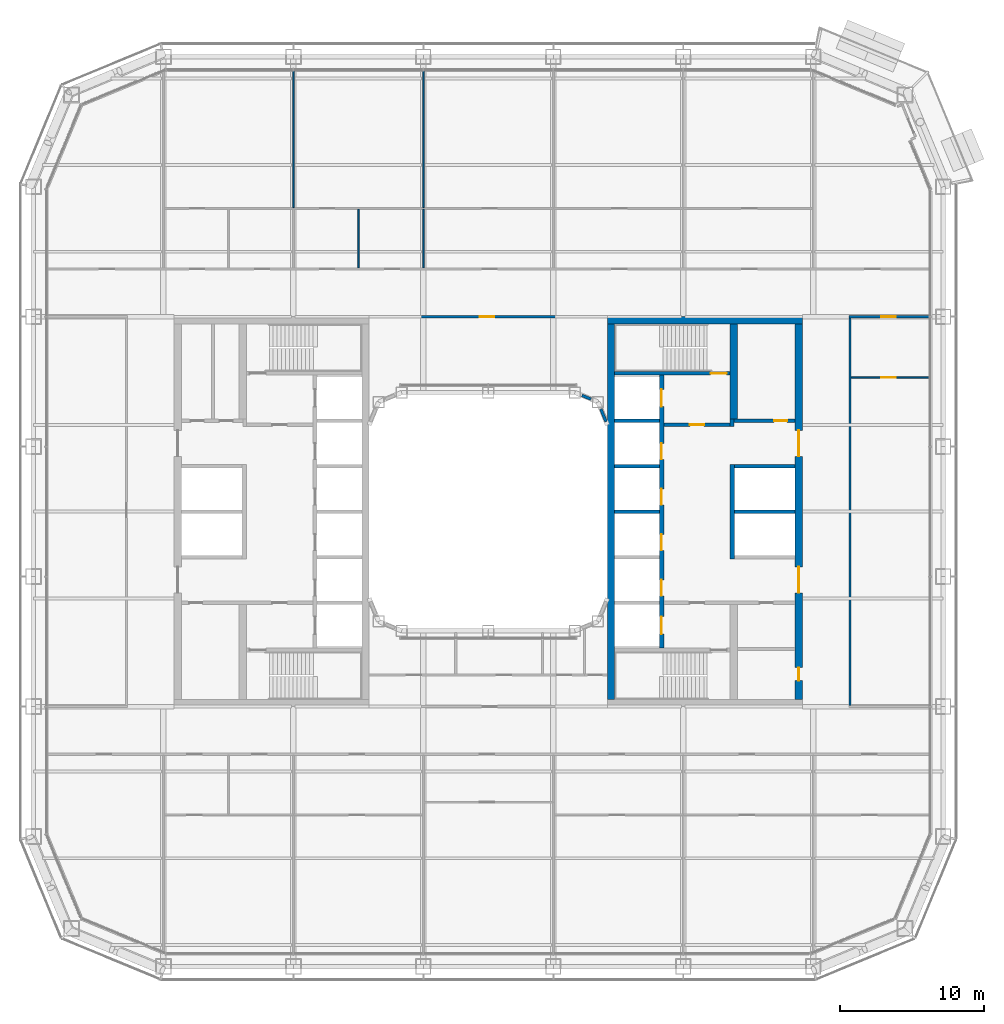
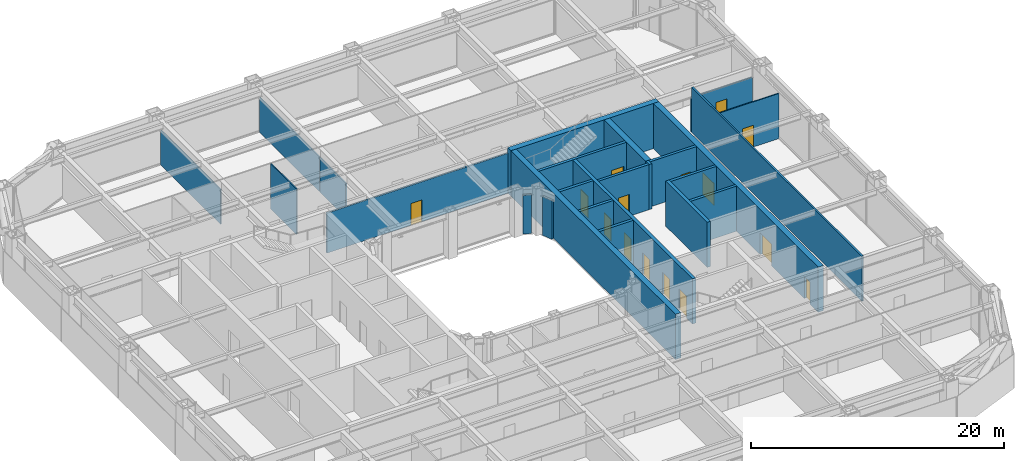
# One storey, part 15 of 30: 25 walls, 15 doors, 15 openings.
"""IFC4 building model written with IfcOpenShell, lengths in metres."""

from ifc_helpers import new_model, si_unit, direction, frame, frame_2d, origin, place, context, subcontext, project, spatial, rectangle, extrude, material, layer, layer_set, type_object, element, fill, save


model = new_model("IFC4")

# Units and contexts
model_context = context("Model", 3, precision=1e-05, world=origin(), true_north=direction((0.0, 1.0)))
body_context = subcontext(model_context, "Body", "Model", "MODEL_VIEW")
ifc_project = project(units=[si_unit("LENGTHUNIT", "METRE"), si_unit("AREAUNIT", "SQUARE_METRE"), si_unit("VOLUMEUNIT", "CUBIC_METRE"), si_unit("PLANEANGLEUNIT", "RADIAN"), si_unit("MASSUNIT", "GRAM", prefix="KILO")], contexts=[model_context])

# Site, building, storey
site_placement = place(None, origin())
site = spatial("IfcSite", under=ifc_project, at=site_placement, CompositionType="ELEMENT")
building_placement = place(site_placement, origin())
building = spatial("IfcBuilding", under=site, at=building_placement, Name="Siwar Civic Tower", CompositionType="ELEMENT")
storey_placement = place(building_placement, frame((0.0, 0.0, 44.699951171875)))
storey = spatial("IfcBuildingStorey", under=building, at=storey_placement, Name="L09", CompositionType="ELEMENT", Elevation=44.699951171875)

# Wall, opening, door
ifc_material_1 = material(Name="Concrete C60/75", Category="concrete")
ifc_layer_1 = layer(ifc_material_1, 0.25)
ifc_layer_set_1 = layer_set([ifc_layer_1], Name="Concrete C60/75")
wall_type_1 = type_object("IfcWallType", Name="CORE-WALL-RC250", PredefinedType="SHEAR", material=ifc_layer_set_1)
wall_1_placement = place(storey_placement, frame((12.14990234375, 6.02490234375, 0.0), z_axis=(0.0, 0.0, 1.0), x_axis=(1.0, 0.0, 0.0)))
wall_1 = element("IfcWall", 1, at=wall_1_placement, inside=storey, type_object=wall_type_1, Name="Core wall E", PredefinedType="SHEAR", context=body_context, shape_type="SweptSolid", body=[
    extrude(rectangle(XDim=4.60009765625, YDim=0.25, at=frame_2d((2.300048828125, 0.0))), origin(), (0.0, 0.0, 1.0), 4.35009765625),
])
opening_1_placement = place(wall_1_placement, frame((1.800048828125, 0.0, 0.0)))
opening_1 = element("IfcOpeningElement", 2, at=opening_1_placement, cuts=wall_1, Name="Opening L09-CE01", PredefinedType="OPENING", context=body_context, shape_type="SweptSolid", body=[
    extrude(rectangle(XDim=1.0, YDim=2.10009765625, at=frame_2d((0.5, 1.050048828125))), frame((0.0, 0.135009765625, 0.0), z_axis=(0.0, -1.0, 0.0), x_axis=(1.0, 0.0, 0.0)), (0.0, 0.0, 1.0), 0.27001953125),
])
ifc_material_2 = material(Name="Steel door leaf", Category="steel")
door_type_1 = type_object("IfcDoorType", Name="CORE-DOOR-FD30S", OperationType="SINGLE_SWING_LEFT", PredefinedType="DOOR", material=ifc_material_2)
door_1_placement = place(opening_1_placement, origin())
door_1 = element("IfcDoor", 3, at=door_1_placement, inside=storey, type_object=door_type_1, Name="Firefighting lobby door L09-CE01", OperationType="SINGLE_SWING_RIGHT", OverallHeight=2.10009765625, OverallWidth=1.0, PredefinedType="DOOR", context=body_context, shape_type="SweptSolid", body=[
    extrude(rectangle(XDim=1.0, YDim=2.10009765625, at=frame_2d((0.5, 1.050048828125))), frame((0.0, 0.02490234375, 0.0), z_axis=(0.0, -1.0, 0.0), x_axis=(1.0, 0.0, 0.0)), (0.0, 0.0, 1.0), 0.050048828125),
])
fill(opening_1, door_1)

# Wall
wall_2_placement = place(storey_placement, frame((16.875, 5.89990234375, 0.0), z_axis=(0.0, 0.0, 1.0), x_axis=(0.0, 1.0, 0.0)))
element("IfcWall", 4, at=wall_2_placement, inside=storey, type_object=wall_type_1, Name="Core wall E", PredefinedType="SHEAR", context=body_context, shape_type="SweptSolid", body=[
    extrude(rectangle(XDim=0.525146484375, YDim=0.25, at=frame_2d((0.2626953125, 0.0))), origin(), (0.0, 0.0, 1.0), 4.35009765625),
])

# Wall, opening, door
wall_3_placement = place(storey_placement, frame((17.0, 6.300048828125, 0.0), z_axis=(0.0, 0.0, 1.0), x_axis=(1.0, 0.0, 0.0)))
wall_3 = element("IfcWall", 5, at=wall_3_placement, inside=storey, type_object=wall_type_1, Name="Core wall E", PredefinedType="SHEAR", context=body_context, shape_type="SweptSolid", body=[
    extrude(rectangle(XDim=4.25, YDim=0.25, at=frame_2d((2.125, 0.0))), origin(), (0.0, 0.0, 1.0), 4.35009765625),
])
opening_2_placement = place(wall_3_placement, frame((2.800048828125, 0.0, 0.0)))
opening_2 = element("IfcOpeningElement", 6, at=opening_2_placement, cuts=wall_3, Name="Opening L09-CE13", PredefinedType="OPENING", context=body_context, shape_type="SweptSolid", body=[
    extrude(rectangle(XDim=0.89990234375, YDim=2.10009765625, at=frame_2d((0.449951171875, 1.050048828125))), frame((0.0, 0.135009765625, 0.0), z_axis=(0.0, -1.0, 0.0), x_axis=(1.0, 0.0, 0.0)), (0.0, 0.0, 1.0), 0.27001953125),
])
ifc_material_3 = material(Name="Steel door leaf", Category="steel")
door_type_2 = type_object("IfcDoorType", Name="CORE-DOOR-ROOM", OperationType="SINGLE_SWING_LEFT", PredefinedType="DOOR", material=ifc_material_3)
door_2_placement = place(opening_2_placement, origin())
door_2 = element("IfcDoor", 7, at=door_2_placement, inside=storey, type_object=door_type_2, Name="Core room door L09-CE13", OperationType="SINGLE_SWING_LEFT", OverallHeight=2.10009765625, OverallWidth=0.89990234375, PredefinedType="DOOR", context=body_context, shape_type="SweptSolid", body=[
    extrude(rectangle(XDim=0.89990234375, YDim=2.10009765625, at=frame_2d((0.449951171875, 1.050048828125))), frame((0.0, 0.02490234375, 0.0), z_axis=(0.0, -1.0, 0.0), x_axis=(1.0, 0.0, 0.0)), (0.0, 0.0, 1.0), 0.050048828125),
])
fill(opening_2, door_2)

# Walls
for number, where, z_axis, x_axis, name in (
    (8, (17.050048828125, 0.0, 0.0), (0.0, 0.0, 1.0), (1.0, 0.0, 0.0), "Core wall E"),
    (9, (17.050048828125, 3.14990234375, 0.0), (0.0, 0.0, 1.0), (1.0, 0.0, 0.0), "Core wall E"),
):
    element("IfcWall", number, at=place(storey_placement, frame(where, z_axis=z_axis, x_axis=x_axis)), inside=storey, type_object=wall_type_1, Name=name, PredefinedType="SHEAR", context=body_context, shape_type="SweptSolid", body=[
        extrude(rectangle(XDim=4.199951171875, YDim=0.25, at=frame_2d((2.10009765625, 0.0))), origin(), (0.0, 0.0, 1.0), 4.35009765625),
    ])
for number, where, z_axis, x_axis, name in (
    (10, (8.75, 0.0, 0.0), (0.0, 0.0, 1.0), (1.0, 0.0, 0.0), "Core wall E"),
    (11, (8.75, 3.14990234375, 0.0), (0.0, 0.0, 1.0), (1.0, 0.0, 0.0), "Core wall E"),
    (12, (8.75, 6.300048828125, 0.0), (0.0, 0.0, 1.0), (1.0, 0.0, 0.0), "Core wall E"),
):
    element("IfcWall", number, at=place(storey_placement, frame(where, z_axis=z_axis, x_axis=x_axis)), inside=storey, type_object=wall_type_1, Name=name, PredefinedType="SHEAR", context=body_context, shape_type="SweptSolid", body=[
        extrude(rectangle(XDim=3.10009765625, YDim=0.25, at=frame_2d((1.550048828125, 0.0))), origin(), (0.0, 0.0, 1.0), 4.35009765625),
    ])

# Wall, opening, door
wall_4_placement = place(storey_placement, frame((8.75, 9.574951171875, 0.0), z_axis=(0.0, 0.0, 1.0), x_axis=(1.0, 0.0, 0.0)))
wall_4 = element("IfcWall", 13, at=wall_4_placement, inside=storey, type_object=wall_type_1, Name="Core wall E", PredefinedType="SHEAR", context=body_context, shape_type="SweptSolid", body=[
    extrude(rectangle(XDim=8.0, YDim=0.25, at=frame_2d((4.0, 0.0))), origin(), (0.0, 0.0, 1.0), 4.35009765625),
])
opening_3_placement = place(wall_4_placement, frame((6.64990234375, 0.0, 0.0)))
opening_3 = element("IfcOpeningElement", 14, at=opening_3_placement, cuts=wall_4, Name="Opening L09-CE03", PredefinedType="OPENING", context=body_context, shape_type="SweptSolid", body=[
    extrude(rectangle(XDim=1.10009765625, YDim=2.10009765625, at=frame_2d((0.550048828125, 1.050048828125))), frame((0.0, 0.135009765625, 0.0), z_axis=(0.0, -1.0, 0.0), x_axis=(1.0, 0.0, 0.0)), (0.0, 0.0, 1.0), 0.27001953125),
])
ifc_material_4 = material(Name="Steel door leaf", Category="steel")
door_type_3 = type_object("IfcDoorType", Name="CORE-DOOR-FD60S", OperationType="SINGLE_SWING_LEFT", PredefinedType="DOOR", material=ifc_material_4)
door_3_placement = place(opening_3_placement, origin())
door_3 = element("IfcDoor", 15, at=door_3_placement, inside=storey, type_object=door_type_3, Name="Stair door L09-CE03", OperationType="SINGLE_SWING_LEFT", OverallHeight=2.10009765625, OverallWidth=1.10009765625, PredefinedType="DOOR", context=body_context, shape_type="SweptSolid", body=[
    extrude(rectangle(XDim=1.10009765625, YDim=2.10009765625, at=frame_2d((0.550048828125, 1.050048828125))), frame((0.0, 0.02490234375, 0.0), z_axis=(0.0, -1.0, 0.0), x_axis=(1.0, 0.0, 0.0)), (0.0, 0.0, 1.0), 0.050048828125),
])
fill(opening_3, door_3)

# Wall, openings, doors
ifc_material_5 = material(Name="Concrete C60/75", Category="concrete")
ifc_layer_2 = layer(ifc_material_5, 0.300048828125)
ifc_layer_set_2 = layer_set([ifc_layer_2], Name="Concrete C60/75")
wall_type_2 = type_object("IfcWallType", Name="CORE-WALL-RC300", PredefinedType="SHEAR", material=ifc_layer_set_2)
wall_5_placement = place(storey_placement, frame((12.0, -9.449951171875, 0.0), z_axis=(0.0, 0.0, 1.0), x_axis=(0.0, 1.0, 0.0)))
wall_5 = element("IfcWall", 16, at=wall_5_placement, inside=storey, type_object=wall_type_2, Name="Core wall E", PredefinedType="SHEAR", context=body_context, shape_type="SweptSolid", body=[
    extrude(rectangle(XDim=18.89990234375, YDim=0.300048828125, at=frame_2d((9.449951171875, 0.0))), origin(), (0.0, 0.0, 1.0), 4.35009765625),
])
opening_4_placement = place(wall_5_placement, frame((3.625, 0.0, 0.0)))
opening_4 = element("IfcOpeningElement", 17, at=opening_4_placement, cuts=wall_5, Name="Opening L09-CE07", PredefinedType="OPENING", context=body_context, shape_type="SweptSolid", body=[
    extrude(rectangle(XDim=1.10009765625, YDim=2.10009765625, at=frame_2d((0.550048828125, 1.050048828125))), frame((0.0, 0.16015625, 0.0), z_axis=(0.0, -1.0, 0.0), x_axis=(1.0, 0.0, 0.0)), (0.0, 0.0, 1.0), 0.320068359375),
])
opening_5_placement = place(wall_5_placement, frame((6.77490234375, 0.0, 0.0)))
opening_5 = element("IfcOpeningElement", 18, at=opening_5_placement, cuts=wall_5, Name="Opening L09-CE08", PredefinedType="OPENING", context=body_context, shape_type="SweptSolid", body=[
    extrude(rectangle(XDim=1.10009765625, YDim=2.10009765625, at=frame_2d((0.550048828125, 1.050048828125))), frame((0.0, 0.16015625, 0.0), z_axis=(0.0, -1.0, 0.0), x_axis=(1.0, 0.0, 0.0)), (0.0, 0.0, 1.0), 0.320068359375),
])
opening_6_placement = place(wall_5_placement, frame((9.925048828125, 0.0, 0.0)))
opening_6 = element("IfcOpeningElement", 19, at=opening_6_placement, cuts=wall_5, Name="Opening L09-CE09", PredefinedType="OPENING", context=body_context, shape_type="SweptSolid", body=[
    extrude(rectangle(XDim=1.10009765625, YDim=2.10009765625, at=frame_2d((0.550048828125, 1.050048828125))), frame((0.0, 0.16015625, 0.0), z_axis=(0.0, -1.0, 0.0), x_axis=(1.0, 0.0, 0.0)), (0.0, 0.0, 1.0), 0.320068359375),
])
opening_7_placement = place(wall_5_placement, frame((13.074951171875, 0.0, 0.0)))
opening_7 = element("IfcOpeningElement", 20, at=opening_7_placement, cuts=wall_5, Name="Opening L09-CE10", PredefinedType="OPENING", context=body_context, shape_type="SweptSolid", body=[
    extrude(rectangle(XDim=1.10009765625, YDim=2.10009765625, at=frame_2d((0.550048828125, 1.050048828125))), frame((0.0, 0.16015625, 0.0), z_axis=(0.0, -1.0, 0.0), x_axis=(1.0, 0.0, 0.0)), (0.0, 0.0, 1.0), 0.320068359375),
])
opening_8_placement = place(wall_5_placement, frame((16.72509765625, 0.0, 0.0)))
opening_8 = element("IfcOpeningElement", 21, at=opening_8_placement, cuts=wall_5, Name="Opening L09-CE11", PredefinedType="OPENING", context=body_context, shape_type="SweptSolid", body=[
    extrude(rectangle(XDim=1.199951171875, YDim=2.10009765625, at=frame_2d((0.60009765625, 1.050048828125))), frame((0.0, 0.16015625, 0.0), z_axis=(0.0, -1.0, 0.0), x_axis=(1.0, 0.0, 0.0)), (0.0, 0.0, 1.0), 0.320068359375),
])
opening_9_placement = place(wall_5_placement, frame((0.97509765625, 0.0, 0.0)))
opening_9 = element("IfcOpeningElement", 22, at=opening_9_placement, cuts=wall_5, Name="Opening L09-CE12", PredefinedType="OPENING", context=body_context, shape_type="SweptSolid", body=[
    extrude(rectangle(XDim=1.199951171875, YDim=2.10009765625, at=frame_2d((0.60009765625, 1.050048828125))), frame((0.0, 0.16015625, 0.0), z_axis=(0.0, -1.0, 0.0), x_axis=(1.0, 0.0, 0.0)), (0.0, 0.0, 1.0), 0.320068359375),
])
ifc_material_6 = material(Name="Steel door leaf", Category="steel")
door_type_4 = type_object("IfcDoorType", Name="CORE-DOOR-LD", OperationType="DOUBLE_DOOR_SLIDING", PredefinedType="DOOR", material=ifc_material_6)
door_4_placement = place(opening_4_placement, origin())
door_4 = element("IfcDoor", 23, at=door_4_placement, inside=storey, type_object=door_type_4, Name="Landing door LR5 L09-CE07", OperationType="DOUBLE_DOOR_SLIDING", OverallHeight=2.10009765625, OverallWidth=1.10009765625, PredefinedType="DOOR", context=body_context, shape_type="SweptSolid", body=[
    extrude(rectangle(XDim=1.10009765625, YDim=2.10009765625, at=frame_2d((0.550048828125, 1.050048828125))), frame((0.0, 0.02490234375, 0.0), z_axis=(0.0, -1.0, 0.0), x_axis=(1.0, 0.0, 0.0)), (0.0, 0.0, 1.0), 0.050048828125),
])
fill(opening_4, door_4)
door_5_placement = place(opening_5_placement, origin())
door_5 = element("IfcDoor", 24, at=door_5_placement, inside=storey, type_object=door_type_4, Name="Landing door LR6 L09-CE08", OperationType="DOUBLE_DOOR_SLIDING", OverallHeight=2.10009765625, OverallWidth=1.10009765625, PredefinedType="DOOR", context=body_context, shape_type="SweptSolid", body=[
    extrude(rectangle(XDim=1.10009765625, YDim=2.10009765625, at=frame_2d((0.550048828125, 1.050048828125))), frame((0.0, 0.02490234375, 0.0), z_axis=(0.0, -1.0, 0.0), x_axis=(1.0, 0.0, 0.0)), (0.0, 0.0, 1.0), 0.050048828125),
])
fill(opening_5, door_5)
door_6_placement = place(opening_6_placement, origin())
door_6 = element("IfcDoor", 25, at=door_6_placement, inside=storey, type_object=door_type_4, Name="Landing door LR7 L09-CE09", OperationType="DOUBLE_DOOR_SLIDING", OverallHeight=2.10009765625, OverallWidth=1.10009765625, PredefinedType="DOOR", context=body_context, shape_type="SweptSolid", body=[
    extrude(rectangle(XDim=1.10009765625, YDim=2.10009765625, at=frame_2d((0.550048828125, 1.050048828125))), frame((0.0, 0.02490234375, 0.0), z_axis=(0.0, -1.0, 0.0), x_axis=(1.0, 0.0, 0.0)), (0.0, 0.0, 1.0), 0.050048828125),
])
fill(opening_6, door_6)
door_7_placement = place(opening_7_placement, origin())
door_7 = element("IfcDoor", 26, at=door_7_placement, inside=storey, type_object=door_type_4, Name="Landing door LR8 L09-CE10", OperationType="DOUBLE_DOOR_SLIDING", OverallHeight=2.10009765625, OverallWidth=1.10009765625, PredefinedType="DOOR", context=body_context, shape_type="SweptSolid", body=[
    extrude(rectangle(XDim=1.10009765625, YDim=2.10009765625, at=frame_2d((0.550048828125, 1.050048828125))), frame((0.0, 0.02490234375, 0.0), z_axis=(0.0, -1.0, 0.0), x_axis=(1.0, 0.0, 0.0)), (0.0, 0.0, 1.0), 0.050048828125),
])
fill(opening_7, door_7)
ifc_material_7 = material(Name="Steel door leaf", Category="steel")
door_type_5 = type_object("IfcDoorType", Name="CORE-DOOR-LDW", OperationType="DOUBLE_DOOR_SLIDING", PredefinedType="DOOR", material=ifc_material_7)
door_8_placement = place(opening_8_placement, origin())
door_8 = element("IfcDoor", 27, at=door_8_placement, inside=storey, type_object=door_type_5, Name="Landing door FF2 L09-CE11", OperationType="DOUBLE_DOOR_SLIDING", OverallHeight=2.10009765625, OverallWidth=1.199951171875, PredefinedType="DOOR", context=body_context, shape_type="SweptSolid", body=[
    extrude(rectangle(XDim=1.199951171875, YDim=2.10009765625, at=frame_2d((0.60009765625, 1.050048828125))), frame((0.0, 0.02490234375, 0.0), z_axis=(0.0, -1.0, 0.0), x_axis=(1.0, 0.0, 0.0)), (0.0, 0.0, 1.0), 0.050048828125),
])
fill(opening_8, door_8)
door_9_placement = place(opening_9_placement, origin())
door_9 = element("IfcDoor", 28, at=door_9_placement, inside=storey, type_object=door_type_5, Name="Landing door SV2 L09-CE12", OperationType="DOUBLE_DOOR_SLIDING", OverallHeight=2.10009765625, OverallWidth=1.199951171875, PredefinedType="DOOR", context=body_context, shape_type="SweptSolid", body=[
    extrude(rectangle(XDim=1.199951171875, YDim=2.10009765625, at=frame_2d((0.60009765625, 1.050048828125))), frame((0.0, 0.02490234375, 0.0), z_axis=(0.0, -1.0, 0.0), x_axis=(1.0, 0.0, 0.0)), (0.0, 0.0, 1.0), 0.050048828125),
])
fill(opening_9, door_9)

# Wall
wall_6_placement = place(storey_placement, frame((16.89990234375, -3.27490234375, 0.0), z_axis=(0.0, 0.0, 1.0), x_axis=(0.0, 1.0, 0.0)))
element("IfcWall", 29, at=wall_6_placement, inside=storey, type_object=wall_type_2, Name="Core wall E", PredefinedType="SHEAR", context=body_context, shape_type="SweptSolid", body=[
    extrude(rectangle(XDim=6.5498046875, YDim=0.300048828125, at=frame_2d((3.27490234375, 0.0))), origin(), (0.0, 0.0, 1.0), 4.35009765625),
])

# Wall, openings, doors
ifc_material_8 = material(Name="Concrete C60/75", Category="concrete")
ifc_layer_3 = layer(ifc_material_8, 0.5)
ifc_layer_set_3 = layer_set([ifc_layer_3], Name="Concrete C60/75")
wall_type_3 = type_object("IfcWallType", Name="CORE-WALL-RC500", PredefinedType="SHEAR", material=ifc_layer_set_3)
wall_7_placement = place(storey_placement, frame((21.5, -13.0, 0.0), z_axis=(0.0, 0.0, 1.0), x_axis=(0.0, 1.0, 0.0)))
wall_7 = element("IfcWall", 30, at=wall_7_placement, inside=storey, type_object=wall_type_3, Name="Core wall E", PredefinedType="SHEAR", context=body_context, shape_type="SweptSolid", body=[
    extrude(rectangle(XDim=26.0, YDim=0.5, at=frame_2d((13.0, 0.0))), origin(), (0.0, 0.0, 1.0), 4.35009765625),
])
opening_10_placement = place(wall_7_placement, frame((16.824951171875, 0.0, 0.0)))
opening_10 = element("IfcOpeningElement", 31, at=opening_10_placement, cuts=wall_7, Name="Opening L09-CE05", PredefinedType="OPENING", context=body_context, shape_type="SweptSolid", body=[
    extrude(rectangle(XDim=1.800048828125, YDim=2.10009765625, at=frame_2d((0.89990234375, 1.050048828125))), frame((0.0, 0.260009765625, 0.0), z_axis=(0.0, -1.0, 0.0), x_axis=(1.0, 0.0, 0.0)), (0.0, 0.0, 1.0), 0.52001953125),
])
opening_11_placement = place(wall_7_placement, frame((7.375, 0.0, 0.0)))
opening_11 = element("IfcOpeningElement", 32, at=opening_11_placement, cuts=wall_7, Name="Opening L09-CE06", PredefinedType="OPENING", context=body_context, shape_type="SweptSolid", body=[
    extrude(rectangle(XDim=1.800048828125, YDim=2.10009765625, at=frame_2d((0.89990234375, 1.050048828125))), frame((0.0, 0.260009765625, 0.0), z_axis=(0.0, -1.0, 0.0), x_axis=(1.0, 0.0, 0.0)), (0.0, 0.0, 1.0), 0.52001953125),
])
opening_12_placement = place(wall_7_placement, frame((1.300048828125, 0.0, 0.0)))
opening_12 = element("IfcOpeningElement", 33, at=opening_12_placement, cuts=wall_7, Name="Opening L09-CE15", PredefinedType="OPENING", context=body_context, shape_type="SweptSolid", body=[
    extrude(rectangle(XDim=0.89990234375, YDim=2.10009765625, at=frame_2d((0.449951171875, 1.050048828125))), frame((0.0, 0.260009765625, 0.0), z_axis=(0.0, -1.0, 0.0), x_axis=(1.0, 0.0, 0.0)), (0.0, 0.0, 1.0), 0.52001953125),
])
ifc_material_9 = material(Name="Steel door leaf", Category="steel")
door_type_6 = type_object("IfcDoorType", Name="CORE-DOOR-PORT", OperationType="DOUBLE_DOOR_DOUBLE_SWING", PredefinedType="DOOR", material=ifc_material_9)
door_10_placement = place(opening_10_placement, origin())
door_10 = element("IfcDoor", 34, at=door_10_placement, inside=storey, type_object=door_type_6, Name="Core entrance door L09-CE05", OperationType="DOUBLE_DOOR_DOUBLE_SWING", OverallHeight=2.10009765625, OverallWidth=1.800048828125, PredefinedType="DOOR", context=body_context, shape_type="SweptSolid", body=[
    extrude(rectangle(XDim=1.800048828125, YDim=2.10009765625, at=frame_2d((0.89990234375, 1.050048828125))), frame((0.0, 0.02490234375, 0.0), z_axis=(0.0, -1.0, 0.0), x_axis=(1.0, 0.0, 0.0)), (0.0, 0.0, 1.0), 0.050048828125),
])
fill(opening_10, door_10)
door_11_placement = place(opening_11_placement, origin())
door_11 = element("IfcDoor", 35, at=door_11_placement, inside=storey, type_object=door_type_6, Name="Core entrance door L09-CE06", OperationType="DOUBLE_DOOR_DOUBLE_SWING", OverallHeight=2.10009765625, OverallWidth=1.800048828125, PredefinedType="DOOR", context=body_context, shape_type="SweptSolid", body=[
    extrude(rectangle(XDim=1.800048828125, YDim=2.10009765625, at=frame_2d((0.89990234375, 1.050048828125))), frame((0.0, 0.02490234375, 0.0), z_axis=(0.0, -1.0, 0.0), x_axis=(1.0, 0.0, 0.0)), (0.0, 0.0, 1.0), 0.050048828125),
])
fill(opening_11, door_11)
door_12_placement = place(opening_12_placement, origin())
door_12 = element("IfcDoor", 36, at=door_12_placement, inside=storey, type_object=door_type_2, Name="Core room door L09-CE15", OperationType="SINGLE_SWING_LEFT", OverallHeight=2.10009765625, OverallWidth=0.89990234375, PredefinedType="DOOR", context=body_context, shape_type="SweptSolid", body=[
    extrude(rectangle(XDim=0.89990234375, YDim=2.10009765625, at=frame_2d((0.449951171875, 1.050048828125))), frame((0.0, 0.02490234375, 0.0), z_axis=(0.0, -1.0, 0.0), x_axis=(1.0, 0.0, 0.0)), (0.0, 0.0, 1.0), 0.050048828125),
])
fill(opening_12, door_12)

# Walls
wall_8_placement = place(storey_placement, frame((17.0, 6.425048828125, 0.0), z_axis=(0.0, 0.0, 1.0), x_axis=(0.0, 1.0, 0.0)))
element("IfcWall", 37, at=wall_8_placement, inside=storey, type_object=wall_type_3, Name="Core wall E", PredefinedType="SHEAR", context=body_context, shape_type="SweptSolid", body=[
    extrude(rectangle(XDim=6.574951171875, YDim=0.5, at=frame_2d((3.28759765625, 0.0))), origin(), (0.0, 0.0, 1.0), 4.35009765625),
])
wall_9_placement = place(storey_placement, frame((8.25, 13.25, 0.0), z_axis=(0.0, 0.0, 1.0), x_axis=(1.0, 0.0, 0.0)))
element("IfcWall", 38, at=wall_9_placement, inside=storey, type_object=wall_type_3, Name="Core wall E", PredefinedType="SHEAR", context=body_context, shape_type="SweptSolid", body=[
    extrude(rectangle(XDim=13.5, YDim=0.5, at=frame_2d((6.75, 0.0))), origin(), (0.0, 0.0, 1.0), 4.35009765625),
])
ifc_material_10 = material(Name="Concrete C60/75", Category="concrete")
ifc_layer_4 = layer(ifc_material_10, 0.5)
ifc_layer_set_4 = layer_set([ifc_layer_4], Name="Concrete C60/75")
wall_type_4 = type_object("IfcWallType", Name="CORE-WALL-RC500-EXT", PredefinedType="SHEAR", material=ifc_layer_set_4)
wall_10_placement = place(storey_placement, frame((8.5, -13.0, 0.0), z_axis=(0.0, 0.0, 1.0), x_axis=(0.0, 1.0, 0.0)))
element("IfcWall", 39, at=wall_10_placement, inside=storey, type_object=wall_type_4, Name="Core wall E", PredefinedType="SHEAR", context=body_context, shape_type="SweptSolid", body=[
    extrude(rectangle(XDim=26.0, YDim=0.5, at=frame_2d((13.0, 0.0))), origin(), (0.0, 0.0, 1.0), 4.35009765625),
])

# Wall, opening, door
ifc_material_11 = material(Name="Gypsum board on steel studs", Category="steel")
ifc_layer_5 = layer(ifc_material_11, 0.14990234375)
ifc_layer_set_5 = layer_set([ifc_layer_5], Name="Gypsum board on steel studs")
wall_type_5 = type_object("IfcWallType", Name="CORRIDOR PARTITION 150 EI 30", PredefinedType="PARTITIONING", material=ifc_layer_set_5)
wall_11_placement = place(storey_placement, frame((-8.25, 13.5, 0.0), z_axis=(0.0, 0.0, 1.0), x_axis=(1.0, 0.0, 0.0)))
wall_11 = element("IfcWall", 40, at=wall_11_placement, inside=storey, type_object=wall_type_5, Name="L09/wall/P12", PredefinedType="PARTITIONING", context=body_context, shape_type="SweptSolid", body=[
    extrude(rectangle(XDim=16.5, YDim=0.14990234375, at=frame_2d((8.25, 0.0))), origin(), (0.0, 0.0, 1.0), 3.85009765625),
])
opening_13_placement = place(wall_11_placement, frame((7.64990234375, 0.0, 0.0)))
opening_13 = element("IfcOpeningElement", 41, at=opening_13_placement, cuts=wall_11, Name="Opening D1", PredefinedType="OPENING", context=body_context, shape_type="SweptSolid", body=[
    extrude(rectangle(XDim=1.0, YDim=2.10009765625, at=frame_2d((0.5, 1.050048828125))), frame((0.0, 0.0849609375, 0.0), z_axis=(0.0, -1.0, 0.0), x_axis=(1.0, 0.0, 0.0)), (0.0, 0.0, 1.0), 0.169921875),
])
ifc_material_12 = material(Name="Timber, painted", Category="wood")
door_type_7 = type_object("IfcDoorType", Name="DOOR 1000 X 2100 FD30", OperationType="SINGLE_SWING_LEFT", PredefinedType="DOOR", material=ifc_material_12)
door_13_placement = place(opening_13_placement, origin())
door_13 = element("IfcDoor", 42, at=door_13_placement, inside=storey, type_object=door_type_7, Name="L09-D32", OperationType="SINGLE_SWING_RIGHT", OverallHeight=2.10009765625, OverallWidth=1.0, PredefinedType="DOOR", context=body_context, shape_type="SweptSolid", body=[
    extrude(rectangle(XDim=1.0, YDim=2.10009765625, at=frame_2d((0.5, 1.050048828125))), frame((0.0, 0.02490234375, 0.0), z_axis=(0.0, -1.0, 0.0), x_axis=(1.0, 0.0, 0.0)), (0.0, 0.0, 1.0), 0.050048828125),
])
fill(opening_13, door_13)

wall_12_placement = place(storey_placement, frame((24.97509765625, 13.5, 0.0), z_axis=(0.0, 0.0, 1.0), x_axis=(1.0, 0.0, 0.0)))
wall_12 = element("IfcWall", 43, at=wall_12_placement, inside=storey, type_object=wall_type_5, Name="L09/wall/P13", PredefinedType="PARTITIONING", context=body_context, shape_type="SweptSolid", body=[
    extrude(rectangle(XDim=5.534912109375, YDim=0.14990234375, at=frame_2d((2.767578125, 0.0))), origin(), (0.0, 0.0, 1.0), 3.35009765625),
])
opening_14_placement = place(wall_12_placement, frame((2.22509765625, 0.0, 0.0)))
opening_14 = element("IfcOpeningElement", 44, at=opening_14_placement, cuts=wall_12, Name="Opening D1", PredefinedType="OPENING", context=body_context, shape_type="SweptSolid", body=[
    extrude(rectangle(XDim=1.0, YDim=2.10009765625, at=frame_2d((0.5, 1.050048828125))), frame((0.0, 0.0849609375, 0.0), z_axis=(0.0, -1.0, 0.0), x_axis=(1.0, 0.0, 0.0)), (0.0, 0.0, 1.0), 0.169921875),
])
door_14_placement = place(opening_14_placement, origin())
door_14 = element("IfcDoor", 45, at=door_14_placement, inside=storey, type_object=door_type_7, Name="L09-D30", OperationType="SINGLE_SWING_RIGHT", OverallHeight=2.10009765625, OverallWidth=1.0, PredefinedType="DOOR", context=body_context, shape_type="SweptSolid", body=[
    extrude(rectangle(XDim=1.0, YDim=2.10009765625, at=frame_2d((0.5, 1.050048828125))), frame((0.0, 0.02490234375, 0.0), z_axis=(0.0, -1.0, 0.0), x_axis=(1.0, 0.0, 0.0)), (0.0, 0.0, 1.0), 0.050048828125),
])
fill(opening_14, door_14)

# Walls
wall_13_placement = place(storey_placement, frame((25.050048828125, -13.425048828125, 0.0), z_axis=(0.0, 0.0, 1.0), x_axis=(0.0, 1.0, 0.0)))
element("IfcWall", 46, at=wall_13_placement, inside=storey, type_object=wall_type_5, Name="L09/wall/P42", PredefinedType="PARTITIONING", context=body_context, shape_type="SweptSolid", body=[
    extrude(rectangle(XDim=26.85009765625, YDim=0.14990234375, at=frame_2d((13.425048828125, 0.0))), origin(), (0.0, 0.0, 1.0), 4.35009765625),
])
ifc_material_13 = material(Name="Aluminium clad insulated panel", Category="aluminium")
ifc_layer_6 = layer(ifc_material_13, 0.199951171875)
ifc_layer_set_6 = layer_set([ifc_layer_6], Name="Aluminium clad insulated panel")
wall_type_6 = type_object("IfcWallType", Name="ENV-WALL-WELL", PredefinedType="STANDARD", material=ifc_layer_set_6)
wall_14_placement = place(storey_placement, frame((8.154296875, 6.23095703125, 0.0), z_axis=(0.0, 0.0, 1.0), x_axis=(-0.382624318388, 0.923904016107, 0.0)))
element("IfcWall", 47, at=wall_14_placement, inside=storey, type_object=wall_type_6, Name="Light well corner wall NE1", PredefinedType="STANDARD", context=body_context, shape_type="SweptSolid", body=[
    extrude(rectangle(XDim=0.949462890625, YDim=0.199951171875, at=frame_2d((0.474609375, 0.0))), origin(), (0.0, 0.0, 1.0), 3.72998046875),
])
wall_15_placement = place(storey_placement, frame((7.108154296875, 7.791015625, 0.0), z_axis=(0.0, 0.0, 1.0), x_axis=(-0.923854141361, 0.382744726273, 0.0)))
element("IfcWall", 48, at=wall_15_placement, inside=storey, type_object=wall_type_6, Name="Light well corner wall NE2", PredefinedType="STANDARD", context=body_context, shape_type="SweptSolid", body=[
    extrude(rectangle(XDim=0.6767578125, YDim=0.199951171875, at=frame_2d((0.33837890625, 0.0))), origin(), (0.0, 0.0, 1.0), 3.72998046875),
])

# Wall, opening, door
ifc_material_14 = material(Name="Gypsum board on steel studs", Category="steel")
ifc_layer_7 = layer(ifc_material_14, 0.10009765625)
ifc_layer_set_7 = layer_set([ifc_layer_7], Name="Gypsum board on steel studs")
wall_type_7 = type_object("IfcWallType", Name="PARTITION 100 GYPSUM", PredefinedType="PARTITIONING", material=ifc_layer_set_7)
wall_16_placement = place(storey_placement, frame((25.125, 9.300048828125, 0.0), z_axis=(0.0, 0.0, 1.0), x_axis=(1.0, 0.0, 0.0)))
wall_16 = element("IfcWall", 49, at=wall_16_placement, inside=storey, type_object=wall_type_7, Name="L09/wall/P10", PredefinedType="PARTITIONING", context=body_context, shape_type="SweptSolid", body=[
    extrude(rectangle(XDim=5.385009765625, YDim=0.10009765625, at=frame_2d((2.6923828125, 0.0))), origin(), (0.0, 0.0, 1.0), 4.35009765625),
])
opening_15_placement = place(wall_16_placement, frame((2.074951171875, 0.0, 0.0)))
opening_15 = element("IfcOpeningElement", 50, at=opening_15_placement, cuts=wall_16, Name="Opening D2", PredefinedType="OPENING", context=body_context, shape_type="SweptSolid", body=[
    extrude(rectangle(XDim=1.0, YDim=2.10009765625, at=frame_2d((0.5, 1.050048828125))), frame((0.0, 0.06005859375, 0.0), z_axis=(0.0, -1.0, 0.0), x_axis=(1.0, 0.0, 0.0)), (0.0, 0.0, 1.0), 0.1201171875),
])
ifc_material_15 = material(Name="Timber, painted", Category="wood")
door_type_8 = type_object("IfcDoorType", Name="DOOR 1000 X 2100", OperationType="SINGLE_SWING_LEFT", PredefinedType="DOOR", material=ifc_material_15)
door_15_placement = place(opening_15_placement, origin())
door_15 = element("IfcDoor", 51, at=door_15_placement, inside=storey, type_object=door_type_8, Name="L09-D31", OperationType="SINGLE_SWING_LEFT", OverallHeight=2.10009765625, OverallWidth=1.0, PredefinedType="DOOR", context=body_context, shape_type="SweptSolid", body=[
    extrude(rectangle(XDim=1.0, YDim=2.10009765625, at=frame_2d((0.5, 1.050048828125))), frame((0.0, 0.02490234375, 0.0), z_axis=(0.0, -1.0, 0.0), x_axis=(1.0, 0.0, 0.0)), (0.0, 0.0, 1.0), 0.050048828125),
])
fill(opening_15, door_15)

# Walls
wall_17_placement = place(storey_placement, frame((-13.5, 21.050048828125, 0.0), z_axis=(0.0, 0.0, 1.0), x_axis=(0.0, 1.0, 0.0)))
element("IfcWall", 52, at=wall_17_placement, inside=storey, type_object=wall_type_7, Name="L09/wall/P24", PredefinedType="PARTITIONING", context=body_context, shape_type="SweptSolid", body=[
    extrude(rectangle(XDim=9.4599609375, YDim=0.10009765625, at=frame_2d((4.72998046875, 0.0))), origin(), (0.0, 0.0, 1.0), 3.35009765625),
])
wall_18_placement = place(storey_placement, frame((-9.0, 16.875, 0.0), z_axis=(0.0, 0.0, 1.0), x_axis=(0.0, 1.0, 0.0)))
element("IfcWall", 53, at=wall_18_placement, inside=storey, type_object=wall_type_7, Name="L09/wall/P25", PredefinedType="PARTITIONING", context=body_context, shape_type="SweptSolid", body=[
    extrude(rectangle(XDim=4.074951171875, YDim=0.10009765625, at=frame_2d((2.03759765625, 0.0))), origin(), (0.0, 0.0, 1.0), 4.35009765625),
])
wall_19_placement = place(storey_placement, frame((-4.5, 16.875, 0.0), z_axis=(0.0, 0.0, 1.0), x_axis=(0.0, 1.0, 0.0)))
element("IfcWall", 54, at=wall_19_placement, inside=storey, type_object=wall_type_7, Name="L09/wall/P27", PredefinedType="PARTITIONING", context=body_context, shape_type="SweptSolid", body=[
    extrude(rectangle(XDim=4.074951171875, YDim=0.10009765625, at=frame_2d((2.03759765625, 0.0))), origin(), (0.0, 0.0, 1.0), 3.35009765625),
])
wall_20_placement = place(storey_placement, frame((-4.5, 21.050048828125, 0.0), z_axis=(0.0, 0.0, 1.0), x_axis=(0.0, 1.0, 0.0)))
element("IfcWall", 55, at=wall_20_placement, inside=storey, type_object=wall_type_7, Name="L09/wall/P28", PredefinedType="PARTITIONING", context=body_context, shape_type="SweptSolid", body=[
    extrude(rectangle(XDim=9.4599609375, YDim=0.10009765625, at=frame_2d((4.72998046875, 0.0))), origin(), (0.0, 0.0, 1.0), 3.35009765625),
])

save(model, "model.ifc")
